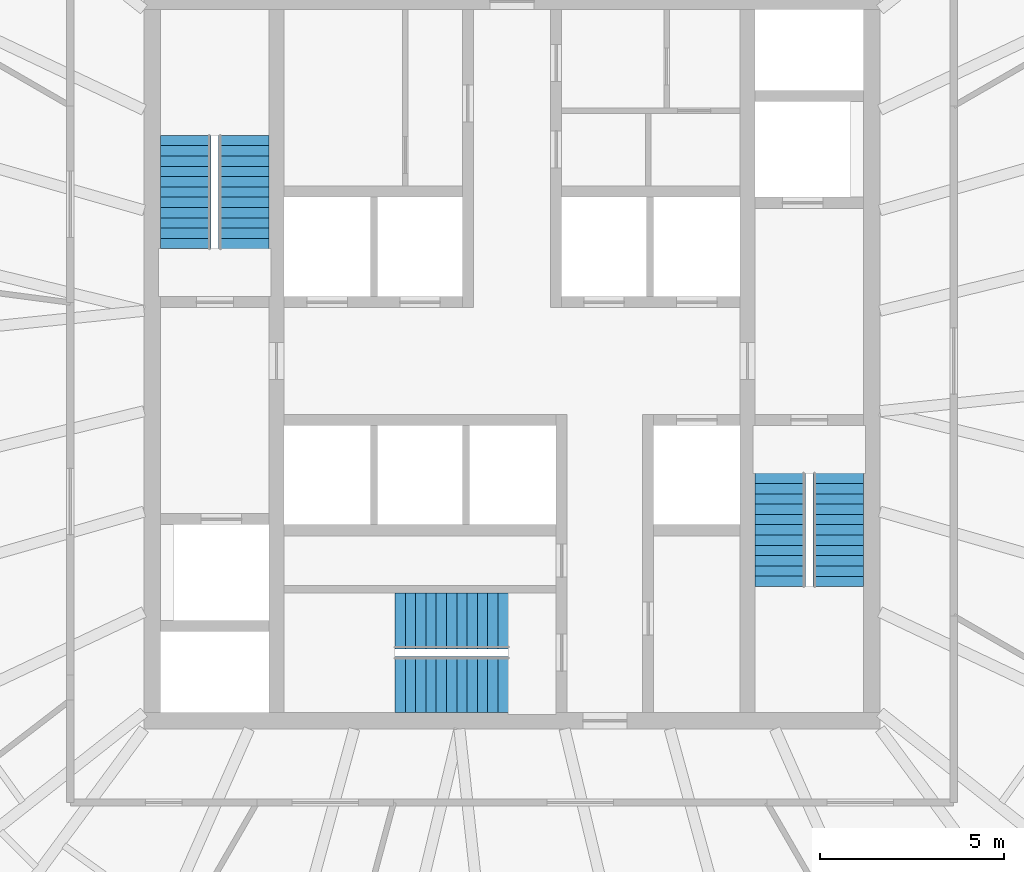
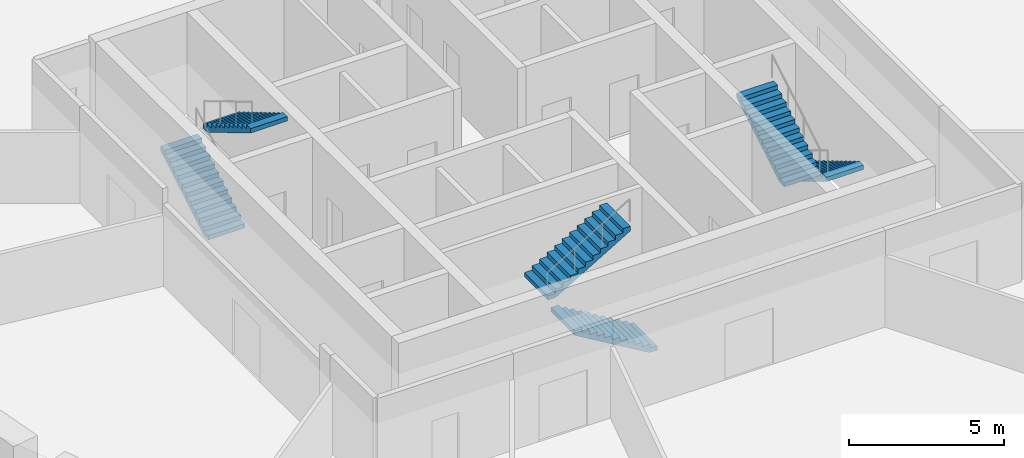
# One storey, part 5 of 7: 6 stair flights, 3 elements without a shape of their own.
"""IFC4 building model written with IfcOpenShell, lengths in metres."""

from ifc_helpers import new_model, si_unit, direction, frame, origin, place, context, subcontext, project, spatial, polyline, outline, extrude, material, type_object, element, aggregate, save


model = new_model("IFC4")

# Units and contexts
model_context = context("Model", 3, precision=1e-05, world=origin(), true_north=direction((0.0, 1.0)))
body_context = subcontext(model_context, "Body", "Model", "MODEL_VIEW")
ifc_project = project(units=[si_unit("LENGTHUNIT", "METRE"), si_unit("AREAUNIT", "SQUARE_METRE"), si_unit("VOLUMEUNIT", "CUBIC_METRE"), si_unit("PLANEANGLEUNIT", "RADIAN"), si_unit("MASSUNIT", "GRAM", prefix="KILO")], contexts=[model_context])

# Site, building, storey
site_placement = place(None, origin())
site = spatial("IfcSite", under=ifc_project, at=site_placement, CompositionType="ELEMENT")
building_placement = place(site_placement, origin())
building = spatial("IfcBuilding", under=site, at=building_placement, Name="Golbaran Civic Tower", CompositionType="ELEMENT")
storey_placement = place(building_placement, frame((0.0, 0.0, 171.0)))
storey = spatial("IfcBuildingStorey", under=building, at=storey_placement, Name="L41", CompositionType="ELEMENT", Elevation=171.0)

# Stair, stair flights
ifc_material = material(Name="Concrete C35/45", Category="concrete")
stair_type_1 = type_object("IfcStairType", Name="EXIT STAIR 2950 x 7800, 4000 RISE", PredefinedType="HALF_TURN_STAIR", material=ifc_material)
stair_1_placement = place(storey_placement, origin())
stair_1 = element("IfcStair", 1, at=stair_1_placement, inside=storey, type_object=stair_type_1, Name="Stair S1 L41", PredefinedType="HALF_TURN_STAIR")
stair_flight_type_1 = type_object("IfcStairFlightType", Name="STAIR FLIGHT 1375 WIDE", PredefinedType="STRAIGHT", material=ifc_material)
stair_flight_1_placement = place(storey_placement, frame((-8.862548828125, 3.050048828125, 0.0), z_axis=(0.0, 0.0, 1.0), x_axis=(0.0, 1.0, 0.0)))
stair_flight_1 = element("IfcStairFlight", 2, at=stair_flight_1_placement, type_object=stair_flight_type_1, Name="ST29578-40 flight 1", NumberOfRisers=12, NumberOfTreads=11, PredefinedType="STRAIGHT", RiserHeight=0.166666667, TreadLength=0.28, context=body_context, shape_type="SweptSolid", body=[
    extrude(outline(polyline([(0.0, 0.0), (0.0, 0.166748046875), (0.280029296875, 0.166748046875), (0.280029296875, 0.333251953125), (0.56005859375, 0.333251953125), (0.56005859375, 0.5), (0.840087890625, 0.5), (0.840087890625, 0.666748046875), (1.1201171875, 0.666748046875), (1.1201171875, 0.833251953125), (1.39990234375, 0.833251953125), (1.39990234375, 1.0), (1.679931640625, 1.0), (1.679931640625, 1.166748046875), (1.9599609375, 1.166748046875), (1.9599609375, 1.333251953125), (2.239990234375, 1.333251953125), (2.239990234375, 1.5), (2.52001953125, 1.5), (2.52001953125, 1.666748046875), (2.800048828125, 1.666748046875), (2.800048828125, 1.833251953125), (3.080078125, 1.833251953125), (3.080078125, 2.0), (3.080078125, 1.658935546875), (0.29296875, 0.0), (0.0, 0.0)])), frame((0.0, 0.6875, 0.0), z_axis=(0.0, -1.0, 0.0), x_axis=(1.0, 0.0, 0.0)), (0.0, 0.0, 1.0), 1.375),
])
stair_flight_2_placement = place(storey_placement, frame((-7.28759765625, 6.1298828125, 2.0), z_axis=(0.0, 0.0, 1.0), x_axis=(0.0, -1.0, 0.0)))
stair_flight_2 = element("IfcStairFlight", 3, at=stair_flight_2_placement, type_object=stair_flight_type_1, Name="ST29578-40 flight 2", NumberOfRisers=12, NumberOfTreads=11, PredefinedType="STRAIGHT", RiserHeight=0.166666667, TreadLength=0.28, context=body_context, shape_type="SweptSolid", body=[
    extrude(outline(polyline([(0.0, 0.0), (0.0, 0.166748046875), (0.280029296875, 0.166748046875), (0.280029296875, 0.333251953125), (0.56005859375, 0.333251953125), (0.56005859375, 0.5), (0.840087890625, 0.5), (0.840087890625, 0.666748046875), (1.1201171875, 0.666748046875), (1.1201171875, 0.833251953125), (1.39990234375, 0.833251953125), (1.39990234375, 1.0), (1.679931640625, 1.0), (1.679931640625, 1.166748046875), (1.9599609375, 1.166748046875), (1.9599609375, 1.333251953125), (2.239990234375, 1.333251953125), (2.239990234375, 1.5), (2.52001953125, 1.5), (2.52001953125, 1.666748046875), (2.800048828125, 1.666748046875), (2.800048828125, 1.833251953125), (3.080078125, 1.833251953125), (3.080078125, 2.0), (3.080078125, 1.658935546875), (0.29296875, 0.0), (0.0, 0.0)])), frame((0.0, 0.6875, 0.0), z_axis=(0.0, -1.0, 0.0), x_axis=(1.0, 0.0, 0.0)), (0.0, 0.0, 1.0), 1.375),
])
aggregate(stair_1, [stair_flight_1, stair_flight_2])

stair_2_placement = place(storey_placement, origin())
stair_2 = element("IfcStair", 4, at=stair_2_placement, inside=storey, type_object=stair_type_1, Name="Stair S2 L41", PredefinedType="HALF_TURN_STAIR")
stair_flight_3_placement = place(storey_placement, frame((8.862548828125, -3.050048828125, 0.0), z_axis=(0.0, 0.0, 1.0), x_axis=(0.0, -1.0, 0.0)))
stair_flight_3 = element("IfcStairFlight", 5, at=stair_flight_3_placement, type_object=stair_flight_type_1, Name="ST29578-40 flight 1", NumberOfRisers=12, NumberOfTreads=11, PredefinedType="STRAIGHT", RiserHeight=0.166666667, TreadLength=0.28, context=body_context, shape_type="SweptSolid", body=[
    extrude(outline(polyline([(0.0, 0.0), (0.0, 0.166748046875), (0.280029296875, 0.166748046875), (0.280029296875, 0.333251953125), (0.56005859375, 0.333251953125), (0.56005859375, 0.5), (0.840087890625, 0.5), (0.840087890625, 0.666748046875), (1.1201171875, 0.666748046875), (1.1201171875, 0.833251953125), (1.39990234375, 0.833251953125), (1.39990234375, 1.0), (1.679931640625, 1.0), (1.679931640625, 1.166748046875), (1.9599609375, 1.166748046875), (1.9599609375, 1.333251953125), (2.239990234375, 1.333251953125), (2.239990234375, 1.5), (2.52001953125, 1.5), (2.52001953125, 1.666748046875), (2.800048828125, 1.666748046875), (2.800048828125, 1.833251953125), (3.080078125, 1.833251953125), (3.080078125, 2.0), (3.080078125, 1.658935546875), (0.29296875, 0.0), (0.0, 0.0)])), frame((0.0, 0.6875, 0.0), z_axis=(0.0, -1.0, 0.0), x_axis=(1.0, 0.0, 0.0)), (0.0, 0.0, 1.0), 1.375),
])
stair_flight_4_placement = place(storey_placement, frame((7.28759765625, -6.1298828125, 2.0), z_axis=(0.0, 0.0, 1.0), x_axis=(0.0, 1.0, 0.0)))
stair_flight_4 = element("IfcStairFlight", 6, at=stair_flight_4_placement, type_object=stair_flight_type_1, Name="ST29578-40 flight 2", NumberOfRisers=12, NumberOfTreads=11, PredefinedType="STRAIGHT", RiserHeight=0.166666667, TreadLength=0.28, context=body_context, shape_type="SweptSolid", body=[
    extrude(outline(polyline([(0.0, 0.0), (0.0, 0.166748046875), (0.280029296875, 0.166748046875), (0.280029296875, 0.333251953125), (0.56005859375, 0.333251953125), (0.56005859375, 0.5), (0.840087890625, 0.5), (0.840087890625, 0.666748046875), (1.1201171875, 0.666748046875), (1.1201171875, 0.833251953125), (1.39990234375, 0.833251953125), (1.39990234375, 1.0), (1.679931640625, 1.0), (1.679931640625, 1.166748046875), (1.9599609375, 1.166748046875), (1.9599609375, 1.333251953125), (2.239990234375, 1.333251953125), (2.239990234375, 1.5), (2.52001953125, 1.5), (2.52001953125, 1.666748046875), (2.800048828125, 1.666748046875), (2.800048828125, 1.833251953125), (3.080078125, 1.833251953125), (3.080078125, 2.0), (3.080078125, 1.658935546875), (0.29296875, 0.0), (0.0, 0.0)])), frame((0.0, 0.6875, 0.0), z_axis=(0.0, -1.0, 0.0), x_axis=(1.0, 0.0, 0.0)), (0.0, 0.0, 1.0), 1.375),
])
aggregate(stair_2, [stair_flight_3, stair_flight_4])

stair_type_2 = type_object("IfcStairType", Name="EXIT STAIR 3250 x 7400, 4000 RISE", PredefinedType="HALF_TURN_STAIR", material=ifc_material)
stair_3_placement = place(storey_placement, origin())
stair_3 = element("IfcStair", 7, at=stair_3_placement, inside=storey, type_object=stair_type_2, Name="Stair S3 L41", PredefinedType="HALF_TURN_STAIR")
stair_flight_type_2 = type_object("IfcStairFlightType", Name="STAIR FLIGHT 1525 WIDE", PredefinedType="STRAIGHT", material=ifc_material)
stair_flight_5_placement = place(storey_placement, frame((-0.10009765625, -8.78759765625, 0.0), z_axis=(0.0, 0.0, 1.0), x_axis=(-1.0, 0.0, 0.0)))
stair_flight_5 = element("IfcStairFlight", 8, at=stair_flight_5_placement, type_object=stair_flight_type_2, Name="ST32574-40 flight 1", NumberOfRisers=12, NumberOfTreads=11, PredefinedType="STRAIGHT", RiserHeight=0.166666667, TreadLength=0.28, context=body_context, shape_type="SweptSolid", body=[
    extrude(outline(polyline([(0.0, 0.0), (0.0, 0.166748046875), (0.280029296875, 0.166748046875), (0.280029296875, 0.333251953125), (0.56005859375, 0.333251953125), (0.56005859375, 0.5), (0.840087890625, 0.5), (0.840087890625, 0.666748046875), (1.1201171875, 0.666748046875), (1.1201171875, 0.833251953125), (1.39990234375, 0.833251953125), (1.39990234375, 1.0), (1.679931640625, 1.0), (1.679931640625, 1.166748046875), (1.9599609375, 1.166748046875), (1.9599609375, 1.333251953125), (2.239990234375, 1.333251953125), (2.239990234375, 1.5), (2.52001953125, 1.5), (2.52001953125, 1.666748046875), (2.800048828125, 1.666748046875), (2.800048828125, 1.833251953125), (3.080078125, 1.833251953125), (3.080078125, 2.0), (3.080078125, 1.658935546875), (0.29296875, 0.0), (0.0, 0.0)])), frame((0.0, 0.762451171875, 0.0), z_axis=(0.0, -1.0, 0.0), x_axis=(1.0, 0.0, 0.0)), (0.0, 0.0, 1.0), 1.52490234375),
])
stair_flight_6_placement = place(storey_placement, frame((-3.179931640625, -7.0625, 2.0), z_axis=(0.0, 0.0, 1.0), x_axis=(1.0, 0.0, 0.0)))
stair_flight_6 = element("IfcStairFlight", 9, at=stair_flight_6_placement, type_object=stair_flight_type_2, Name="ST32574-40 flight 2", NumberOfRisers=12, NumberOfTreads=11, PredefinedType="STRAIGHT", RiserHeight=0.166666667, TreadLength=0.28, context=body_context, shape_type="SweptSolid", body=[
    extrude(outline(polyline([(0.0, 0.0), (0.0, 0.166748046875), (0.280029296875, 0.166748046875), (0.280029296875, 0.333251953125), (0.56005859375, 0.333251953125), (0.56005859375, 0.5), (0.840087890625, 0.5), (0.840087890625, 0.666748046875), (1.1201171875, 0.666748046875), (1.1201171875, 0.833251953125), (1.39990234375, 0.833251953125), (1.39990234375, 1.0), (1.679931640625, 1.0), (1.679931640625, 1.166748046875), (1.9599609375, 1.166748046875), (1.9599609375, 1.333251953125), (2.239990234375, 1.333251953125), (2.239990234375, 1.5), (2.52001953125, 1.5), (2.52001953125, 1.666748046875), (2.800048828125, 1.666748046875), (2.800048828125, 1.833251953125), (3.080078125, 1.833251953125), (3.080078125, 2.0), (3.080078125, 1.658935546875), (0.29296875, 0.0), (0.0, 0.0)])), frame((0.0, 0.762451171875, 0.0), z_axis=(0.0, -1.0, 0.0), x_axis=(1.0, 0.0, 0.0)), (0.0, 0.0, 1.0), 1.52490234375),
])
aggregate(stair_3, [stair_flight_5, stair_flight_6])

save(model, "model.ifc")
